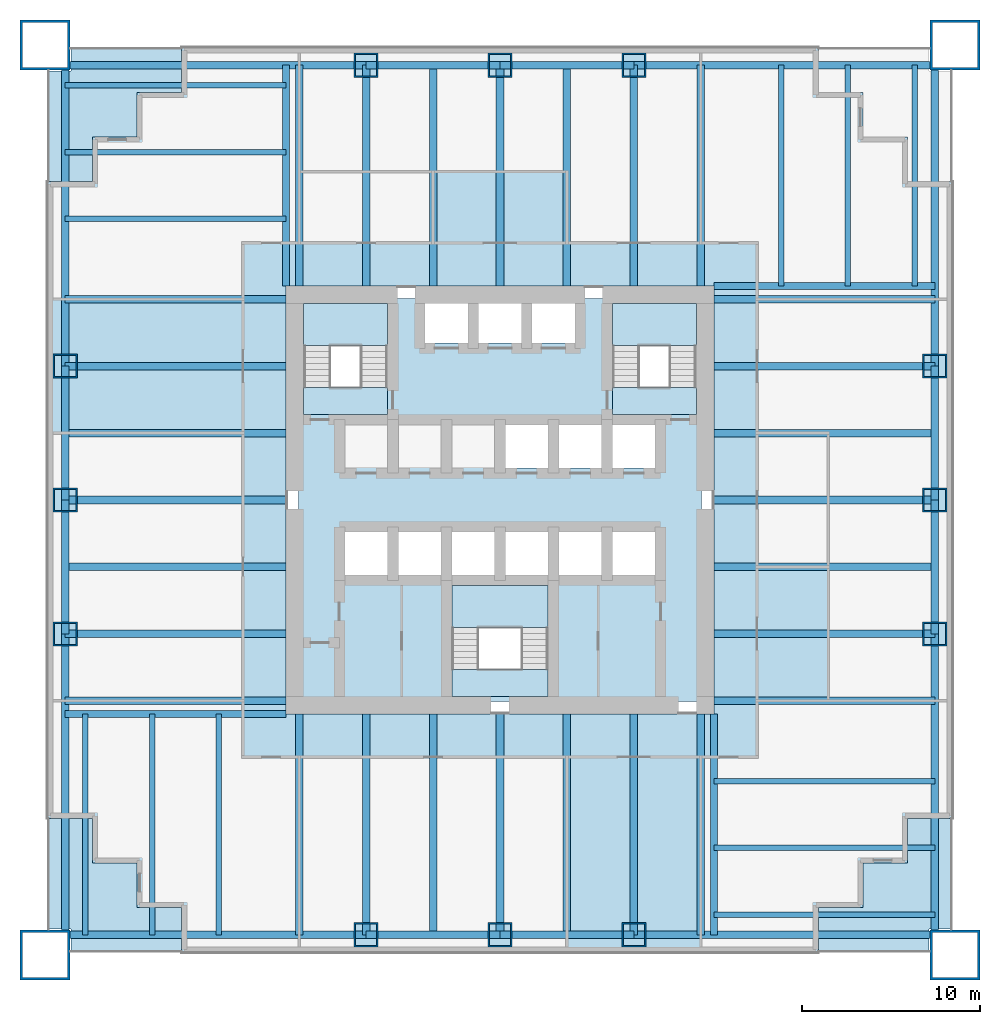
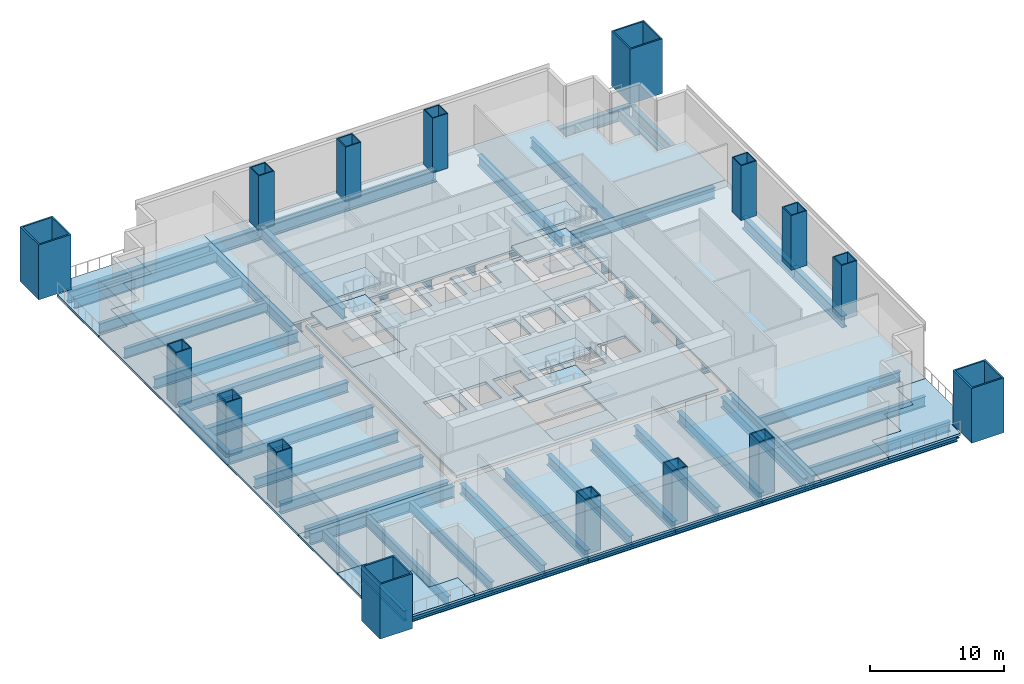
# One storey, part 1 of 6: 60 beams, 20 slabs, 16 columns, 3 elements without a shape of their own.
"""IFC4 building model written with IfcOpenShell, lengths in metres."""

from ifc_helpers import new_model, si_unit, direction, frame, origin, origin_2d, place, context, subcontext, project, spatial, polyline, hollow_rectangle, i_section, outline, extrude, material, layer, layer_set, material_profile, profile_set, type_object, element, aggregate, save


model = new_model("IFC4")

# Units and contexts
model_context = context("Model", 3, precision=1e-05, world=origin(), true_north=direction((0.0, 1.0)))
body_context = subcontext(model_context, "Body", "Model", "MODEL_VIEW")
ifc_project = project(units=[si_unit("LENGTHUNIT", "METRE"), si_unit("AREAUNIT", "SQUARE_METRE"), si_unit("VOLUMEUNIT", "CUBIC_METRE"), si_unit("PLANEANGLEUNIT", "RADIAN"), si_unit("MASSUNIT", "GRAM", prefix="KILO")], contexts=[model_context])

# Site, building, storey
site_placement = place(None, origin())
site = spatial("IfcSite", under=ifc_project, at=site_placement, CompositionType="ELEMENT")
building_placement = place(site_placement, origin())
building = spatial("IfcBuilding", under=site, at=building_placement, Name="Tarangal Relay Tower", CompositionType="ELEMENT")
storey_placement = place(building_placement, frame((0.0, 0.0, 48.39990234375)))
storey = spatial("IfcBuildingStorey", under=building, at=storey_placement, Name="L09", CompositionType="ELEMENT", Elevation=48.39990234375)

# Columns
ifc_material_1 = material(Name="Steel ASTM A572 Grade 42", Category="steel")
ifc_material_profile_1 = material_profile(ifc_material_1, hollow_rectangle(XDim=2.800048828125, YDim=2.800048828125, WallThickness=0.139892578125, at=origin_2d()), Name="BOX2800X2800X140")
ifc_profile_set_1 = profile_set([ifc_material_profile_1], Name="Steel ASTM A572 Grade 42")
column_type_1 = type_object("IfcColumnType", Name="Mega column BOX2800X2800X140", PredefinedType="COLUMN", material=ifc_profile_set_1)
for number, where, z_axis, x_axis, name in (
    (1, (25.5, 25.5, 0.0), (0.0, 0.0, 1.0), (1.0, 0.0, 0.0), "Mega column MC1 NE L09"),
    (2, (25.5, -25.5, 0.0), (0.0, 0.0, 1.0), (1.0, 0.0, 0.0), "Mega column MC1 SE L09"),
    (3, (-25.5, -25.5, 0.0), (0.0, 0.0, 1.0), (1.0, 0.0, 0.0), "Mega column MC1 SW L09"),
    (4, (-25.5, 25.5, 0.0), (0.0, 0.0, 1.0), (1.0, 0.0, 0.0), "Mega column MC1 NW L09"),
):
    element("IfcColumn", number, at=place(storey_placement, frame(where, z_axis=z_axis, x_axis=x_axis)), inside=storey, type_object=column_type_1, Name=name, PredefinedType="COLUMN", context=body_context, shape_type="SweptSolid", body=[
        extrude(hollow_rectangle(XDim=2.800048828125, YDim=2.800048828125, WallThickness=0.139892578125, at=origin_2d()), origin(), (0.0, 0.0, 1.0), 5.0),
    ])
ifc_material_2 = material(Name="Steel ASTM A572 Grade 50", Category="steel")
ifc_material_profile_2 = material_profile(ifc_material_2, hollow_rectangle(XDim=1.35009765625, YDim=1.35009765625, WallThickness=0.0849609375, at=origin_2d()), Name="BOX1350X1350X85")
ifc_profile_set_2 = profile_set([ifc_material_profile_2], Name="Steel ASTM A572 Grade 50")
column_type_2 = type_object("IfcColumnType", Name="Perimeter column BOX1350X1350X85", PredefinedType="COLUMN", material=ifc_profile_set_2)
for number, where, z_axis, x_axis, name in (
    (5, (-7.5, 24.364990234375, 0.0), (0.0, 0.0, 1.0), (1.0, 0.0, 0.0), "Perimeter column PC2 N L09"),
    (6, (0.0, 24.364990234375, 0.0), (0.0, 0.0, 1.0), (1.0, 0.0, 0.0), "Perimeter column PC2 N L09"),
    (7, (7.5, 24.364990234375, 0.0), (0.0, 0.0, 1.0), (1.0, 0.0, 0.0), "Perimeter column PC2 N L09"),
    (8, (24.364990234375, 7.5, 0.0), (0.0, 0.0, 1.0), (1.0, 0.0, 0.0), "Perimeter column PC2 E L09"),
    (9, (24.364990234375, 0.0, 0.0), (0.0, 0.0, 1.0), (1.0, 0.0, 0.0), "Perimeter column PC2 E L09"),
    (10, (24.364990234375, -7.5, 0.0), (0.0, 0.0, 1.0), (1.0, 0.0, 0.0), "Perimeter column PC2 E L09"),
    (11, (7.5, -24.364990234375, 0.0), (0.0, 0.0, 1.0), (1.0, 0.0, 0.0), "Perimeter column PC2 S L09"),
    (12, (0.0, -24.364990234375, 0.0), (0.0, 0.0, 1.0), (1.0, 0.0, 0.0), "Perimeter column PC2 S L09"),
    (13, (-7.5, -24.364990234375, 0.0), (0.0, 0.0, 1.0), (1.0, 0.0, 0.0), "Perimeter column PC2 S L09"),
    (14, (-24.364990234375, -7.5, 0.0), (0.0, 0.0, 1.0), (1.0, 0.0, 0.0), "Perimeter column PC2 W L09"),
    (15, (-24.364990234375, 0.0, 0.0), (0.0, 0.0, 1.0), (1.0, 0.0, 0.0), "Perimeter column PC2 W L09"),
    (16, (-24.364990234375, 7.5, 0.0), (0.0, 0.0, 1.0), (1.0, 0.0, 0.0), "Perimeter column PC2 W L09"),
):
    element("IfcColumn", number, at=place(storey_placement, frame(where, z_axis=z_axis, x_axis=x_axis)), inside=storey, type_object=column_type_2, Name=name, PredefinedType="COLUMN", context=body_context, shape_type="SweptSolid", body=[
        extrude(hollow_rectangle(XDim=1.35009765625, YDim=1.35009765625, WallThickness=0.0849609375, at=origin_2d()), origin(), (0.0, 0.0, 1.0), 5.0),
    ])

# Beams
ifc_material_3 = material(Name="Steel ASTM A992", Category="steel")
ifc_material_profile_3 = material_profile(ifc_material_3, i_section(OverallWidth=0.307373046875, OverallDepth=0.927001953125, WebThickness=0.019287109375, FlangeThickness=0.031982421875, at=origin_2d()), Name="W36X194")
ifc_profile_set_3 = profile_set([ifc_material_profile_3], Name="Steel ASTM A992")
beam_type_1 = type_object("IfcBeamType", Name="Corner beam W36X194", PredefinedType="JOIST", material=ifc_profile_set_3)
for number, where, z_axis, x_axis, name in (
    (17, (15.75, 12.0, -0.66357421875), (0.0, 1.0, 0.0), (-1.0, 0.0, 0.0), "Corner beam CB10 N L09"),
    (18, (19.5, 12.0, -0.66357421875), (0.0, 1.0, 0.0), (-1.0, 0.0, 0.0), "Corner beam CB10 N L09"),
    (19, (23.25, 12.0, -0.66357421875), (0.0, 1.0, 0.0), (-1.0, 0.0, 0.0), "Corner beam CB10 N L09"),
    (20, (12.0, -15.75, -0.66357421875), (1.0, 0.0, 0.0), (0.0, 1.0, 0.0), "Corner beam CB10 E L09"),
    (21, (12.0, -19.5, -0.66357421875), (1.0, 0.0, 0.0), (0.0, 1.0, 0.0), "Corner beam CB10 E L09"),
    (22, (12.0, -23.25, -0.66357421875), (1.0, 0.0, 0.0), (0.0, 1.0, 0.0), "Corner beam CB10 E L09"),
    (23, (-15.75, -12.0, -0.66357421875), (0.0, -1.0, 0.0), (1.0, 0.0, 0.0), "Corner beam CB10 S L09"),
    (24, (-19.5, -12.0, -0.66357421875), (0.0, -1.0, 0.0), (1.0, 0.0, 0.0), "Corner beam CB10 S L09"),
    (25, (-23.25, -12.0, -0.66357421875), (0.0, -1.0, 0.0), (1.0, 0.0, 0.0), "Corner beam CB10 S L09"),
    (26, (-12.0, 15.75, -0.66357421875), (-1.0, 0.0, 0.0), (0.0, -1.0, 0.0), "Corner beam CB10 W L09"),
    (27, (-12.0, 19.5, -0.66357421875), (-1.0, 0.0, 0.0), (0.0, -1.0, 0.0), "Corner beam CB10 W L09"),
    (28, (-12.0, 23.25, -0.66357421875), (-1.0, 0.0, 0.0), (0.0, -1.0, 0.0), "Corner beam CB10 W L09"),
):
    element("IfcBeam", number, at=place(storey_placement, frame(where, z_axis=z_axis, x_axis=x_axis)), inside=storey, type_object=beam_type_1, Name=name, PredefinedType="JOIST", context=body_context, shape_type="SweptSolid", body=[
        extrude(i_section(OverallWidth=0.307373046875, OverallDepth=0.927001953125, WebThickness=0.019287109375, FlangeThickness=0.031982421875, at=origin_2d()), origin(), (0.0, 0.0, 1.0), 12.364990234375),
    ])
ifc_material_profile_4 = material_profile(ifc_material_3, i_section(OverallWidth=0.40380859375, OverallDepth=1.036376953125, WebThickness=0.031005859375, FlangeThickness=0.0458984375, at=origin_2d()), Name="W40X331")
ifc_profile_set_4 = profile_set([ifc_material_profile_4], Name="Steel ASTM A992")
beam_type_2 = type_object("IfcBeamType", Name="Corner girder W40X331", PredefinedType="BEAM", material=ifc_profile_set_4)
for number, where, z_axis, x_axis, name in (
    (29, (12.0, 12.0, -0.718017578125), (1.0, 0.0, 0.0), (0.0, 1.0, 0.0), "Corner girder CG2 N L09"),
    (30, (12.0, -12.0, -0.718017578125), (0.0, -1.0, 0.0), (1.0, 0.0, 0.0), "Corner girder CG2 E L09"),
    (31, (-12.0, -12.0, -0.718017578125), (-1.0, 0.0, 0.0), (0.0, -1.0, 0.0), "Corner girder CG2 S L09"),
    (32, (-12.0, 12.0, -0.718017578125), (0.0, 1.0, 0.0), (-1.0, 0.0, 0.0), "Corner girder CG2 W L09"),
):
    element("IfcBeam", number, at=place(storey_placement, frame(where, z_axis=z_axis, x_axis=x_axis)), inside=storey, type_object=beam_type_2, Name=name, PredefinedType="BEAM", context=body_context, shape_type="SweptSolid", body=[
        extrude(i_section(OverallWidth=0.40380859375, OverallDepth=1.036376953125, WebThickness=0.031005859375, FlangeThickness=0.0458984375, at=origin_2d()), origin(), (0.0, 0.0, 1.0), 12.364990234375),
    ])
ifc_material_profile_5 = material_profile(ifc_material_3, i_section(OverallWidth=0.42431640625, OverallDepth=1.09228515625, WebThickness=0.04541015625, FlangeThickness=0.08203125, at=origin_2d()), Name="W40X593")
ifc_profile_set_5 = profile_set([ifc_material_profile_5], Name="Steel ASTM A992")
beam_type_3 = type_object("IfcBeamType", Name="Edge girder W40X593", PredefinedType="SPANDREL", material=ifc_profile_set_5)
beam_1_placement = place(storey_placement, frame((-24.25, 24.364990234375, -0.74609375), z_axis=(1.0, 0.0, 0.0), x_axis=(0.0, 1.0, 0.0)))
element("IfcBeam", 33, at=beam_1_placement, inside=storey, type_object=beam_type_3, Name="Edge girder EG9 N L09", PredefinedType="SPANDREL", context=body_context, shape_type="SweptSolid", body=[
    extrude(i_section(OverallWidth=0.42431640625, OverallDepth=1.09228515625, WebThickness=0.04541015625, FlangeThickness=0.08203125, at=origin_2d()), origin(), (0.0, 0.0, 1.0), 16.75),
])
for number, where, z_axis, x_axis, name in (
    (34, (-7.5, 24.364990234375, -0.74609375), (1.0, 0.0, 0.0), (0.0, 1.0, 0.0), "Edge girder EG9 N L09"),
    (35, (0.0, 24.364990234375, -0.74609375), (1.0, 0.0, 0.0), (0.0, 1.0, 0.0), "Edge girder EG9 N L09"),
):
    element("IfcBeam", number, at=place(storey_placement, frame(where, z_axis=z_axis, x_axis=x_axis)), inside=storey, type_object=beam_type_3, Name=name, PredefinedType="SPANDREL", context=body_context, shape_type="SweptSolid", body=[
        extrude(i_section(OverallWidth=0.42431640625, OverallDepth=1.09228515625, WebThickness=0.04541015625, FlangeThickness=0.08203125, at=origin_2d()), origin(), (0.0, 0.0, 1.0), 7.5),
    ])
for number, where, z_axis, x_axis, name in (
    (36, (7.5, 24.364990234375, -0.74609375), (1.0, 0.0, 0.0), (0.0, 1.0, 0.0), "Edge girder EG9 N L09"),
    (37, (24.364990234375, 24.25, -0.74609375), (0.0, -1.0, 0.0), (1.0, 0.0, 0.0), "Edge girder EG9 E L09"),
):
    element("IfcBeam", number, at=place(storey_placement, frame(where, z_axis=z_axis, x_axis=x_axis)), inside=storey, type_object=beam_type_3, Name=name, PredefinedType="SPANDREL", context=body_context, shape_type="SweptSolid", body=[
        extrude(i_section(OverallWidth=0.42431640625, OverallDepth=1.09228515625, WebThickness=0.04541015625, FlangeThickness=0.08203125, at=origin_2d()), origin(), (0.0, 0.0, 1.0), 16.75),
    ])
for number, where, z_axis, x_axis, name in (
    (38, (24.364990234375, 7.5, -0.74609375), (0.0, -1.0, 0.0), (1.0, 0.0, 0.0), "Edge girder EG9 E L09"),
    (39, (24.364990234375, 0.0, -0.74609375), (0.0, -1.0, 0.0), (1.0, 0.0, 0.0), "Edge girder EG9 E L09"),
):
    element("IfcBeam", number, at=place(storey_placement, frame(where, z_axis=z_axis, x_axis=x_axis)), inside=storey, type_object=beam_type_3, Name=name, PredefinedType="SPANDREL", context=body_context, shape_type="SweptSolid", body=[
        extrude(i_section(OverallWidth=0.42431640625, OverallDepth=1.09228515625, WebThickness=0.04541015625, FlangeThickness=0.08203125, at=origin_2d()), origin(), (0.0, 0.0, 1.0), 7.5),
    ])
for number, where, z_axis, x_axis, name in (
    (40, (24.364990234375, -7.5, -0.74609375), (0.0, -1.0, 0.0), (1.0, 0.0, 0.0), "Edge girder EG9 E L09"),
    (41, (24.25, -24.364990234375, -0.74609375), (-1.0, 0.0, 0.0), (0.0, -1.0, 0.0), "Edge girder EG9 S L09"),
):
    element("IfcBeam", number, at=place(storey_placement, frame(where, z_axis=z_axis, x_axis=x_axis)), inside=storey, type_object=beam_type_3, Name=name, PredefinedType="SPANDREL", context=body_context, shape_type="SweptSolid", body=[
        extrude(i_section(OverallWidth=0.42431640625, OverallDepth=1.09228515625, WebThickness=0.04541015625, FlangeThickness=0.08203125, at=origin_2d()), origin(), (0.0, 0.0, 1.0), 16.75),
    ])
for number, where, z_axis, x_axis, name in (
    (42, (7.5, -24.364990234375, -0.74609375), (-1.0, 0.0, 0.0), (0.0, -1.0, 0.0), "Edge girder EG9 S L09"),
    (43, (0.0, -24.364990234375, -0.74609375), (-1.0, 0.0, 0.0), (0.0, -1.0, 0.0), "Edge girder EG9 S L09"),
):
    element("IfcBeam", number, at=place(storey_placement, frame(where, z_axis=z_axis, x_axis=x_axis)), inside=storey, type_object=beam_type_3, Name=name, PredefinedType="SPANDREL", context=body_context, shape_type="SweptSolid", body=[
        extrude(i_section(OverallWidth=0.42431640625, OverallDepth=1.09228515625, WebThickness=0.04541015625, FlangeThickness=0.08203125, at=origin_2d()), origin(), (0.0, 0.0, 1.0), 7.5),
    ])
for number, where, z_axis, x_axis, name in (
    (44, (-7.5, -24.364990234375, -0.74609375), (-1.0, 0.0, 0.0), (0.0, -1.0, 0.0), "Edge girder EG9 S L09"),
    (45, (-24.364990234375, -24.25, -0.74609375), (0.0, 1.0, 0.0), (-1.0, 0.0, 0.0), "Edge girder EG9 W L09"),
):
    element("IfcBeam", number, at=place(storey_placement, frame(where, z_axis=z_axis, x_axis=x_axis)), inside=storey, type_object=beam_type_3, Name=name, PredefinedType="SPANDREL", context=body_context, shape_type="SweptSolid", body=[
        extrude(i_section(OverallWidth=0.42431640625, OverallDepth=1.09228515625, WebThickness=0.04541015625, FlangeThickness=0.08203125, at=origin_2d()), origin(), (0.0, 0.0, 1.0), 16.75),
    ])
for number, where, z_axis, x_axis, name in (
    (46, (-24.364990234375, -7.5, -0.74609375), (0.0, 1.0, 0.0), (-1.0, 0.0, 0.0), "Edge girder EG9 W L09"),
    (47, (-24.364990234375, 0.0, -0.74609375), (0.0, 1.0, 0.0), (-1.0, 0.0, 0.0), "Edge girder EG9 W L09"),
):
    element("IfcBeam", number, at=place(storey_placement, frame(where, z_axis=z_axis, x_axis=x_axis)), inside=storey, type_object=beam_type_3, Name=name, PredefinedType="SPANDREL", context=body_context, shape_type="SweptSolid", body=[
        extrude(i_section(OverallWidth=0.42431640625, OverallDepth=1.09228515625, WebThickness=0.04541015625, FlangeThickness=0.08203125, at=origin_2d()), origin(), (0.0, 0.0, 1.0), 7.5),
    ])
beam_2_placement = place(storey_placement, frame((-24.364990234375, 7.5, -0.74609375), z_axis=(0.0, 1.0, 0.0), x_axis=(-1.0, 0.0, 0.0)))
element("IfcBeam", 48, at=beam_2_placement, inside=storey, type_object=beam_type_3, Name="Edge girder EG9 W L09", PredefinedType="SPANDREL", context=body_context, shape_type="SweptSolid", body=[
    extrude(i_section(OverallWidth=0.42431640625, OverallDepth=1.09228515625, WebThickness=0.04541015625, FlangeThickness=0.08203125, at=origin_2d()), origin(), (0.0, 0.0, 1.0), 16.75),
])
ifc_material_profile_6 = material_profile(ifc_material_3, i_section(OverallWidth=0.42431640625, OverallDepth=0.947509765625, WebThickness=0.02392578125, FlangeThickness=0.042724609375, at=origin_2d()), Name="W36X302")
ifc_profile_set_6 = profile_set([ifc_material_profile_6], Name="Steel ASTM A992")
beam_type_4 = type_object("IfcBeamType", Name="Floor beam W36X302", PredefinedType="BEAM", material=ifc_profile_set_6)
for number, where, z_axis, x_axis, name in (
    (49, (-11.25, 12.0, -0.673583984375), (0.0, 1.0, 0.0), (-1.0, 0.0, 0.0), "Floor beam RB10 N L09"),
    (50, (-7.5, 12.0, -0.673583984375), (0.0, 1.0, 0.0), (-1.0, 0.0, 0.0), "Floor beam RB10 N L09"),
    (51, (-3.75, 12.0, -0.673583984375), (0.0, 1.0, 0.0), (-1.0, 0.0, 0.0), "Floor beam RB10 N L09"),
    (52, (0.0, 12.0, -0.673583984375), (0.0, 1.0, 0.0), (-1.0, 0.0, 0.0), "Floor beam RB10 N L09"),
    (53, (3.75, 12.0, -0.673583984375), (0.0, 1.0, 0.0), (-1.0, 0.0, 0.0), "Floor beam RB10 N L09"),
    (54, (7.5, 12.0, -0.673583984375), (0.0, 1.0, 0.0), (-1.0, 0.0, 0.0), "Floor beam RB10 N L09"),
    (55, (11.25, 12.0, -0.673583984375), (0.0, 1.0, 0.0), (-1.0, 0.0, 0.0), "Floor beam RB10 N L09"),
    (56, (12.0, 11.25, -0.673583984375), (1.0, 0.0, 0.0), (0.0, 1.0, 0.0), "Floor beam RB10 E L09"),
    (57, (12.0, 7.5, -0.673583984375), (1.0, 0.0, 0.0), (0.0, 1.0, 0.0), "Floor beam RB10 E L09"),
    (58, (12.0, 3.75, -0.673583984375), (1.0, 0.0, 0.0), (0.0, 1.0, 0.0), "Floor beam RB10 E L09"),
    (59, (12.0, 0.0, -0.673583984375), (1.0, 0.0, 0.0), (0.0, 1.0, 0.0), "Floor beam RB10 E L09"),
    (60, (12.0, -3.75, -0.673583984375), (1.0, 0.0, 0.0), (0.0, 1.0, 0.0), "Floor beam RB10 E L09"),
    (61, (12.0, -7.5, -0.673583984375), (1.0, 0.0, 0.0), (0.0, 1.0, 0.0), "Floor beam RB10 E L09"),
    (62, (12.0, -11.25, -0.673583984375), (1.0, 0.0, 0.0), (0.0, 1.0, 0.0), "Floor beam RB10 E L09"),
    (63, (11.25, -12.0, -0.673583984375), (0.0, -1.0, 0.0), (1.0, 0.0, 0.0), "Floor beam RB10 S L09"),
    (64, (7.5, -12.0, -0.673583984375), (0.0, -1.0, 0.0), (1.0, 0.0, 0.0), "Floor beam RB10 S L09"),
    (65, (3.75, -12.0, -0.673583984375), (0.0, -1.0, 0.0), (1.0, 0.0, 0.0), "Floor beam RB10 S L09"),
    (66, (0.0, -12.0, -0.673583984375), (0.0, -1.0, 0.0), (1.0, 0.0, 0.0), "Floor beam RB10 S L09"),
    (67, (-3.75, -12.0, -0.673583984375), (0.0, -1.0, 0.0), (1.0, 0.0, 0.0), "Floor beam RB10 S L09"),
    (68, (-7.5, -12.0, -0.673583984375), (0.0, -1.0, 0.0), (1.0, 0.0, 0.0), "Floor beam RB10 S L09"),
    (69, (-11.25, -12.0, -0.673583984375), (0.0, -1.0, 0.0), (1.0, 0.0, 0.0), "Floor beam RB10 S L09"),
    (70, (-12.0, -11.25, -0.673583984375), (-1.0, 0.0, 0.0), (0.0, -1.0, 0.0), "Floor beam RB10 W L09"),
    (71, (-12.0, -7.5, -0.673583984375), (-1.0, 0.0, 0.0), (0.0, -1.0, 0.0), "Floor beam RB10 W L09"),
    (72, (-12.0, -3.75, -0.673583984375), (-1.0, 0.0, 0.0), (0.0, -1.0, 0.0), "Floor beam RB10 W L09"),
    (73, (-12.0, 0.0, -0.673583984375), (-1.0, 0.0, 0.0), (0.0, -1.0, 0.0), "Floor beam RB10 W L09"),
    (74, (-12.0, 3.75, -0.673583984375), (-1.0, 0.0, 0.0), (0.0, -1.0, 0.0), "Floor beam RB10 W L09"),
    (75, (-12.0, 7.5, -0.673583984375), (-1.0, 0.0, 0.0), (0.0, -1.0, 0.0), "Floor beam RB10 W L09"),
    (76, (-12.0, 11.25, -0.673583984375), (-1.0, 0.0, 0.0), (0.0, -1.0, 0.0), "Floor beam RB10 W L09"),
):
    element("IfcBeam", number, at=place(storey_placement, frame(where, z_axis=z_axis, x_axis=x_axis)), inside=storey, type_object=beam_type_4, Name=name, PredefinedType="BEAM", context=body_context, shape_type="SweptSolid", body=[
        extrude(i_section(OverallWidth=0.42431640625, OverallDepth=0.947509765625, WebThickness=0.02392578125, FlangeThickness=0.042724609375, at=origin_2d()), origin(), (0.0, 0.0, 1.0), 12.364990234375),
    ])

# Slabs
ifc_material_4 = material(Name="Concrete fc' 35 MPa", Category="concrete")
ifc_layer_1 = layer(ifc_material_4, 0.25)
ifc_layer_set_1 = layer_set([ifc_layer_1], Name="Core floor slab 250")
slab_type_1 = type_object("IfcSlabType", Name="Core floor slab 250", PredefinedType="FLOOR", material=ifc_layer_set_1)
slab_1_placement = place(storey_placement, frame((0.0, 0.0, -0.25)))
element("IfcSlab", 77, at=slab_1_placement, inside=storey, type_object=slab_type_1, Name="Core floor slab L09", PredefinedType="FLOOR", context=body_context, shape_type="SweptSolid", body=[
    extrude(outline(polyline([(11.300048828125, 11.300048828125), (11.300048828125, -11.300048828125), (-11.300048828125, -11.300048828125), (-11.300048828125, 11.300048828125), (-4.199951171875, 11.300048828125), (-4.199951171875, 8.800048828125), (-1.800048828125, 8.800048828125), (-1.800048828125, 11.300048828125), (-1.199951171875, 11.300048828125), (-1.199951171875, 8.800048828125), (1.199951171875, 8.800048828125), (1.199951171875, 11.300048828125), (1.800048828125, 11.300048828125), (1.800048828125, 8.800048828125), (4.199951171875, 8.800048828125), (4.199951171875, 11.300048828125), (11.300048828125, 11.300048828125)]), holes=[polyline([(2.699951171875, -4.800048828125), (-2.699951171875, -4.800048828125), (-2.699951171875, -11.0), (2.699951171875, -11.0), (2.699951171875, -4.800048828125)]), polyline([(-6.300048828125, -4.199951171875), (-6.300048828125, -1.800048828125), (-8.699951171875, -1.800048828125), (-8.699951171875, -4.199951171875), (-6.300048828125, -4.199951171875)]), polyline([(-3.300048828125, -4.199951171875), (-3.300048828125, -1.800048828125), (-5.699951171875, -1.800048828125), (-5.699951171875, -4.199951171875), (-3.300048828125, -4.199951171875)]), polyline([(-0.300048828125, -4.199951171875), (-0.300048828125, -1.800048828125), (-2.699951171875, -1.800048828125), (-2.699951171875, -4.199951171875), (-0.300048828125, -4.199951171875)]), polyline([(2.699951171875, 1.800048828125), (2.699951171875, 4.199951171875), (0.300048828125, 4.199951171875), (0.300048828125, 1.800048828125), (2.699951171875, 1.800048828125)]), polyline([(-6.300048828125, 4.800048828125), (-6.300048828125, 11.0), (-11.0, 11.0), (-11.0, 4.800048828125), (-6.300048828125, 4.800048828125)]), polyline([(2.699951171875, -4.199951171875), (2.699951171875, -1.800048828125), (0.300048828125, -1.800048828125), (0.300048828125, -4.199951171875), (2.699951171875, -4.199951171875)]), polyline([(5.699951171875, -4.199951171875), (5.699951171875, -1.800048828125), (3.300048828125, -1.800048828125), (3.300048828125, -4.199951171875), (5.699951171875, -4.199951171875)]), polyline([(8.699951171875, -4.199951171875), (8.699951171875, -1.800048828125), (6.300048828125, -1.800048828125), (6.300048828125, -4.199951171875), (8.699951171875, -4.199951171875)]), polyline([(5.699951171875, 1.800048828125), (5.699951171875, 4.199951171875), (3.300048828125, 4.199951171875), (3.300048828125, 1.800048828125), (5.699951171875, 1.800048828125)]), polyline([(8.699951171875, 1.800048828125), (8.699951171875, 4.199951171875), (6.300048828125, 4.199951171875), (6.300048828125, 1.800048828125), (8.699951171875, 1.800048828125)]), polyline([(11.0, 4.800048828125), (11.0, 11.0), (6.300048828125, 11.0), (6.300048828125, 4.800048828125), (11.0, 4.800048828125)])]), origin(), (0.0, 0.0, 1.0), 0.25),
])
ifc_layer_2 = layer(ifc_material_4, 0.199951171875)
ifc_layer_set_2 = layer_set([ifc_layer_2], Name="Floor slab 200")
slab_type_2 = type_object("IfcSlabType", Name="Floor slab 200", PredefinedType="FLOOR", material=ifc_layer_set_2)
slab_2_placement = place(storey_placement, frame((0.0, 0.0, -0.199951171875)))
element("IfcSlab", 78, at=slab_2_placement, inside=storey, type_object=slab_type_2, Name="Floor slab FS2 L09 north bay", PredefinedType="FLOOR", context=body_context, shape_type="SweptSolid", body=[
    extrude(outline(polyline([(17.85009765625, 25.35009765625), (17.85009765625, 22.85009765625), (20.35009765625, 22.85009765625), (20.35009765625, 20.35009765625), (22.85009765625, 20.35009765625), (22.85009765625, 17.85009765625), (25.35009765625, 17.85009765625), (25.35009765625, 12.0), (-12.0, 12.0), (-12.0, 25.35009765625), (17.85009765625, 25.35009765625)])), origin(), (0.0, 0.0, 1.0), 0.199951171875),
])
slab_3_placement = place(storey_placement, frame((0.0, 0.0, -0.199951171875)))
element("IfcSlab", 79, at=slab_3_placement, inside=storey, type_object=slab_type_2, Name="Floor slab FS2 L09 east bay", PredefinedType="FLOOR", context=body_context, shape_type="SweptSolid", body=[
    extrude(outline(polyline([(25.35009765625, -17.85009765625), (22.85009765625, -17.85009765625), (22.85009765625, -20.35009765625), (20.35009765625, -20.35009765625), (20.35009765625, -22.85009765625), (17.85009765625, -22.85009765625), (17.85009765625, -25.35009765625), (12.0, -25.35009765625), (12.0, 12.0), (25.35009765625, 12.0), (25.35009765625, -17.85009765625)])), origin(), (0.0, 0.0, 1.0), 0.199951171875),
])
slab_4_placement = place(storey_placement, frame((0.0, 0.0, -0.199951171875)))
element("IfcSlab", 80, at=slab_4_placement, inside=storey, type_object=slab_type_2, Name="Floor slab FS2 L09 south bay", PredefinedType="FLOOR", context=body_context, shape_type="SweptSolid", body=[
    extrude(outline(polyline([(-17.85009765625, -25.35009765625), (-17.85009765625, -22.85009765625), (-20.35009765625, -22.85009765625), (-20.35009765625, -20.35009765625), (-22.85009765625, -20.35009765625), (-22.85009765625, -17.85009765625), (-25.35009765625, -17.85009765625), (-25.35009765625, -12.0), (12.0, -12.0), (12.0, -25.35009765625), (-17.85009765625, -25.35009765625)])), origin(), (0.0, 0.0, 1.0), 0.199951171875),
])
slab_5_placement = place(storey_placement, frame((0.0, 0.0, -0.199951171875)))
element("IfcSlab", 81, at=slab_5_placement, inside=storey, type_object=slab_type_2, Name="Floor slab FS2 L09 west bay", PredefinedType="FLOOR", context=body_context, shape_type="SweptSolid", body=[
    extrude(outline(polyline([(-12.0, 25.35009765625), (-12.0, -12.0), (-25.35009765625, -12.0), (-25.35009765625, 17.85009765625), (-22.85009765625, 17.85009765625), (-22.85009765625, 20.35009765625), (-20.35009765625, 20.35009765625), (-20.35009765625, 22.85009765625), (-17.85009765625, 22.85009765625), (-17.85009765625, 25.35009765625), (-12.0, 25.35009765625)])), origin(), (0.0, 0.0, 1.0), 0.199951171875),
])

# Stair, slabs
ifc_material_5 = material(Name="Steel ASTM A992 stair flight", Category="steel")
stair_type = type_object("IfcStairType", Name="Core stair 1500", PredefinedType="HALF_TURN_STAIR", material=ifc_material_5)
stair_1_placement = place(storey_placement, origin())
stair_1 = element("IfcStair", 82, at=stair_1_placement, inside=storey, type_object=stair_type, Name="Stair ST-A L09", PredefinedType="HALF_TURN_STAIR")
ifc_layer_3 = layer(ifc_material_4, 0.199951171875)
ifc_layer_set_3 = layer_set([ifc_layer_3], Name="Stair landing 200")
slab_type_3 = type_object("IfcSlabType", Name="Stair landing 200", PredefinedType="LANDING", material=ifc_layer_set_3)
slab_6_placement = place(storey_placement, frame((0.0, 0.0, -0.199951171875)))
slab_6 = element("IfcSlab", 83, at=slab_6_placement, type_object=slab_type_3, Name="ST-A landing 1", PredefinedType="LANDING", context=body_context, shape_type="SweptSolid", body=[
    extrude(outline(polyline([(-11.0, 4.800048828125), (-6.300048828125, 4.800048828125), (-6.300048828125, 6.300048828125), (-11.0, 6.300048828125), (-11.0, 4.800048828125)])), origin(), (0.0, 0.0, 1.0), 0.199951171875),
])
slab_7_placement = place(storey_placement, frame((0.0, 0.0, 1.050048828125)))
slab_7 = element("IfcSlab", 84, at=slab_7_placement, type_object=slab_type_3, Name="ST-A landing 2", PredefinedType="LANDING", context=body_context, shape_type="SweptSolid", body=[
    extrude(outline(polyline([(-11.0, 8.64501953125), (-6.300048828125, 8.64501953125), (-6.300048828125, 11.0), (-11.0, 11.0), (-11.0, 8.64501953125)])), origin(), (0.0, 0.0, 1.0), 0.199951171875),
])
slab_8_placement = place(storey_placement, frame((0.0, 0.0, 2.300048828125)))
slab_8 = element("IfcSlab", 85, at=slab_8_placement, type_object=slab_type_3, Name="ST-A landing 3", PredefinedType="LANDING", context=body_context, shape_type="SweptSolid", body=[
    extrude(outline(polyline([(-11.0, 4.800048828125), (-6.300048828125, 4.800048828125), (-6.300048828125, 6.300048828125), (-11.0, 6.300048828125), (-11.0, 4.800048828125)])), origin(), (0.0, 0.0, 1.0), 0.199951171875),
])
slab_9_placement = place(storey_placement, frame((0.0, 0.0, 3.550048828125)))
slab_9 = element("IfcSlab", 86, at=slab_9_placement, type_object=slab_type_3, Name="ST-A landing 4", PredefinedType="LANDING", context=body_context, shape_type="SweptSolid", body=[
    extrude(outline(polyline([(-11.0, 8.64501953125), (-6.300048828125, 8.64501953125), (-6.300048828125, 11.0), (-11.0, 11.0), (-11.0, 8.64501953125)])), origin(), (0.0, 0.0, 1.0), 0.199951171875),
])
aggregate(stair_1, [slab_6, slab_7, slab_8, slab_9])

stair_2_placement = place(storey_placement, origin())
stair_2 = element("IfcStair", 87, at=stair_2_placement, inside=storey, type_object=stair_type, Name="Stair ST-B L09", PredefinedType="HALF_TURN_STAIR")
slab_10_placement = place(storey_placement, frame((0.0, 0.0, -0.199951171875)))
slab_10 = element("IfcSlab", 88, at=slab_10_placement, type_object=slab_type_3, Name="ST-B landing 1", PredefinedType="LANDING", context=body_context, shape_type="SweptSolid", body=[
    extrude(outline(polyline([(6.300048828125, 4.800048828125), (11.0, 4.800048828125), (11.0, 6.300048828125), (6.300048828125, 6.300048828125), (6.300048828125, 4.800048828125)])), origin(), (0.0, 0.0, 1.0), 0.199951171875),
])
slab_11_placement = place(storey_placement, frame((0.0, 0.0, 1.050048828125)))
slab_11 = element("IfcSlab", 89, at=slab_11_placement, type_object=slab_type_3, Name="ST-B landing 2", PredefinedType="LANDING", context=body_context, shape_type="SweptSolid", body=[
    extrude(outline(polyline([(6.300048828125, 8.64501953125), (11.0, 8.64501953125), (11.0, 11.0), (6.300048828125, 11.0), (6.300048828125, 8.64501953125)])), origin(), (0.0, 0.0, 1.0), 0.199951171875),
])
slab_12_placement = place(storey_placement, frame((0.0, 0.0, 2.300048828125)))
slab_12 = element("IfcSlab", 90, at=slab_12_placement, type_object=slab_type_3, Name="ST-B landing 3", PredefinedType="LANDING", context=body_context, shape_type="SweptSolid", body=[
    extrude(outline(polyline([(6.300048828125, 4.800048828125), (11.0, 4.800048828125), (11.0, 6.300048828125), (6.300048828125, 6.300048828125), (6.300048828125, 4.800048828125)])), origin(), (0.0, 0.0, 1.0), 0.199951171875),
])
slab_13_placement = place(storey_placement, frame((0.0, 0.0, 3.550048828125)))
slab_13 = element("IfcSlab", 91, at=slab_13_placement, type_object=slab_type_3, Name="ST-B landing 4", PredefinedType="LANDING", context=body_context, shape_type="SweptSolid", body=[
    extrude(outline(polyline([(6.300048828125, 8.64501953125), (11.0, 8.64501953125), (11.0, 11.0), (6.300048828125, 11.0), (6.300048828125, 8.64501953125)])), origin(), (0.0, 0.0, 1.0), 0.199951171875),
])
aggregate(stair_2, [slab_10, slab_11, slab_12, slab_13])

stair_3_placement = place(storey_placement, origin())
stair_3 = element("IfcStair", 92, at=stair_3_placement, inside=storey, type_object=stair_type, Name="Stair ST-C L09", PredefinedType="HALF_TURN_STAIR")
slab_14_placement = place(storey_placement, frame((0.0, 0.0, -0.199951171875)))
slab_14 = element("IfcSlab", 93, at=slab_14_placement, type_object=slab_type_3, Name="ST-C landing 1", PredefinedType="LANDING", context=body_context, shape_type="SweptSolid", body=[
    extrude(outline(polyline([(-2.699951171875, -11.0), (2.699951171875, -11.0), (2.699951171875, -9.5), (-2.699951171875, -9.5), (-2.699951171875, -11.0)])), origin(), (0.0, 0.0, 1.0), 0.199951171875),
])
slab_15_placement = place(storey_placement, frame((0.0, 0.0, 1.050048828125)))
slab_15 = element("IfcSlab", 94, at=slab_15_placement, type_object=slab_type_3, Name="ST-C landing 2", PredefinedType="LANDING", context=body_context, shape_type="SweptSolid", body=[
    extrude(outline(polyline([(-2.699951171875, -7.155029296875), (2.699951171875, -7.155029296875), (2.699951171875, -4.800048828125), (-2.699951171875, -4.800048828125), (-2.699951171875, -7.155029296875)])), origin(), (0.0, 0.0, 1.0), 0.199951171875),
])
slab_16_placement = place(storey_placement, frame((0.0, 0.0, 2.300048828125)))
slab_16 = element("IfcSlab", 95, at=slab_16_placement, type_object=slab_type_3, Name="ST-C landing 3", PredefinedType="LANDING", context=body_context, shape_type="SweptSolid", body=[
    extrude(outline(polyline([(-2.699951171875, -11.0), (2.699951171875, -11.0), (2.699951171875, -9.5), (-2.699951171875, -9.5), (-2.699951171875, -11.0)])), origin(), (0.0, 0.0, 1.0), 0.199951171875),
])
slab_17_placement = place(storey_placement, frame((0.0, 0.0, 3.550048828125)))
slab_17 = element("IfcSlab", 96, at=slab_17_placement, type_object=slab_type_3, Name="ST-C landing 4", PredefinedType="LANDING", context=body_context, shape_type="SweptSolid", body=[
    extrude(outline(polyline([(-2.699951171875, -7.155029296875), (2.699951171875, -7.155029296875), (2.699951171875, -4.800048828125), (-2.699951171875, -4.800048828125), (-2.699951171875, -7.155029296875)])), origin(), (0.0, 0.0, 1.0), 0.199951171875),
])
aggregate(stair_3, [slab_14, slab_15, slab_16, slab_17])

# Slabs
ifc_layer_4 = layer(ifc_material_4, 0.199951171875)
ifc_layer_set_4 = layer_set([ifc_layer_4], Name="Terrace slab 200")
slab_type_4 = type_object("IfcSlabType", Name="Terrace slab 200", PredefinedType="FLOOR", material=ifc_layer_set_4)
slab_18_placement = place(storey_placement, frame((0.0, 0.0, -0.199951171875)))
element("IfcSlab", 97, at=slab_18_placement, inside=storey, type_object=slab_type_4, Name="Corner terrace SE L09", PredefinedType="FLOOR", context=body_context, shape_type="SweptSolid", body=[
    extrude(outline(polyline([(25.35009765625, -17.85009765625), (22.85009765625, -17.85009765625), (22.85009765625, -20.35009765625), (20.35009765625, -20.35009765625), (20.35009765625, -22.85009765625), (17.85009765625, -22.85009765625), (17.85009765625, -25.35009765625), (24.050048828125, -25.35009765625), (24.050048828125, -24.050048828125), (25.35009765625, -24.050048828125), (25.35009765625, -17.85009765625)])), origin(), (0.0, 0.0, 1.0), 0.199951171875),
])
slab_19_placement = place(storey_placement, frame((0.0, 0.0, -0.199951171875)))
element("IfcSlab", 98, at=slab_19_placement, inside=storey, type_object=slab_type_4, Name="Corner terrace SW L09", PredefinedType="FLOOR", context=body_context, shape_type="SweptSolid", body=[
    extrude(outline(polyline([(-17.85009765625, -25.35009765625), (-17.85009765625, -22.85009765625), (-20.35009765625, -22.85009765625), (-20.35009765625, -20.35009765625), (-22.85009765625, -20.35009765625), (-22.85009765625, -17.85009765625), (-25.35009765625, -17.85009765625), (-25.35009765625, -24.050048828125), (-24.050048828125, -24.050048828125), (-24.050048828125, -25.35009765625), (-17.85009765625, -25.35009765625)])), origin(), (0.0, 0.0, 1.0), 0.199951171875),
])
slab_20_placement = place(storey_placement, frame((0.0, 0.0, -0.199951171875)))
element("IfcSlab", 99, at=slab_20_placement, inside=storey, type_object=slab_type_4, Name="Corner terrace NW L09", PredefinedType="FLOOR", context=body_context, shape_type="SweptSolid", body=[
    extrude(outline(polyline([(-25.35009765625, 17.85009765625), (-22.85009765625, 17.85009765625), (-22.85009765625, 20.35009765625), (-20.35009765625, 20.35009765625), (-20.35009765625, 22.85009765625), (-17.85009765625, 22.85009765625), (-17.85009765625, 25.35009765625), (-24.050048828125, 25.35009765625), (-24.050048828125, 24.050048828125), (-25.35009765625, 24.050048828125), (-25.35009765625, 17.85009765625)])), origin(), (0.0, 0.0, 1.0), 0.199951171875),
])

save(model, "model.ifc")
